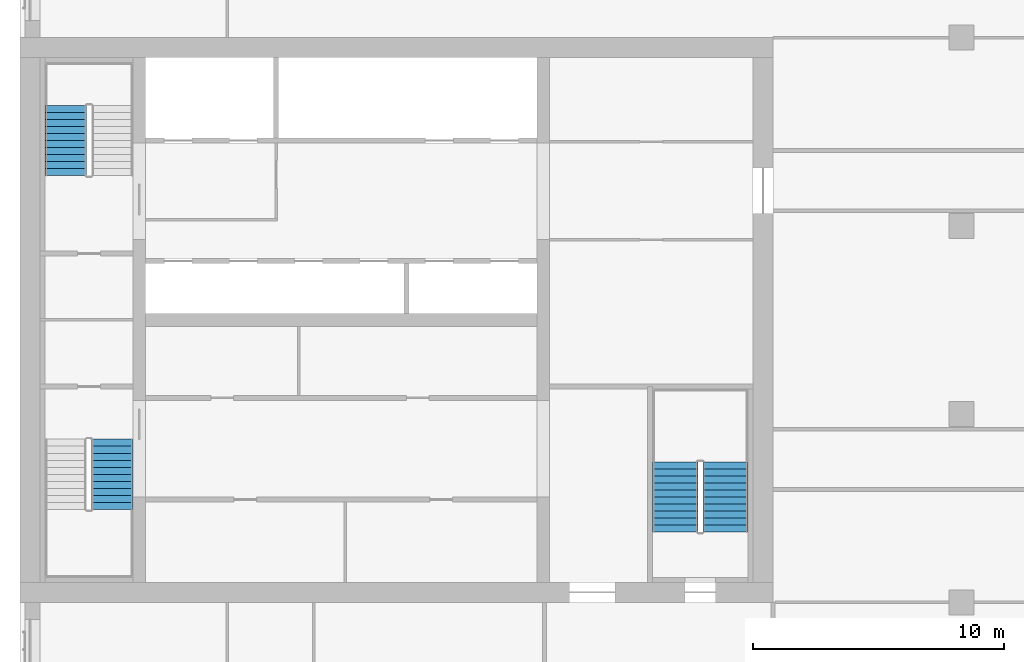
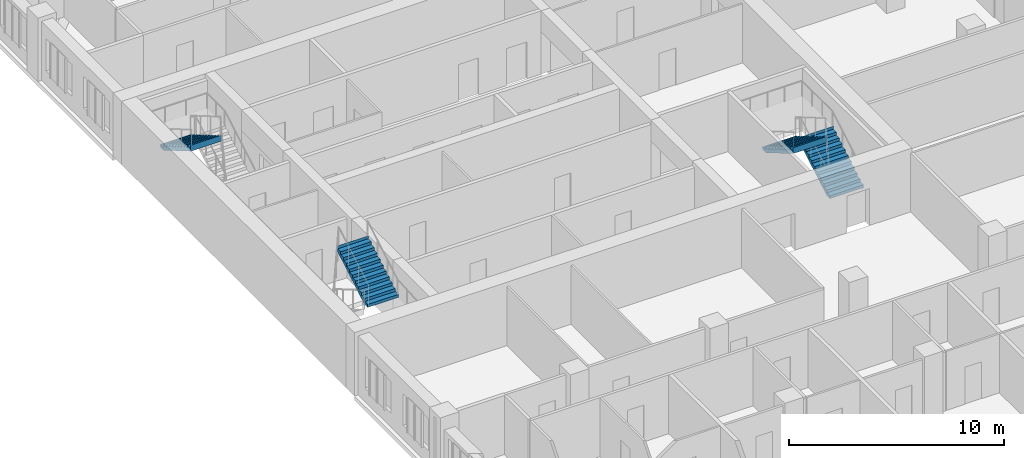
# One storey, part 12 of 14: 4 stair flights, 3 elements without a shape of their own.
"""IFC4 building model written with IfcOpenShell, lengths in metres."""

from ifc_helpers import new_model, si_unit, direction, frame, origin, place, context, subcontext, project, spatial, polyline, outline, extrude, material, type_object, element, aggregate, save


model = new_model("IFC4")

# Units and contexts
model_context = context("Model", 3, precision=1e-05, world=origin(), true_north=direction((0.0, 1.0)))
body_context = subcontext(model_context, "Body", "Model", "MODEL_VIEW")
ifc_project = project(units=[si_unit("LENGTHUNIT", "METRE"), si_unit("AREAUNIT", "SQUARE_METRE"), si_unit("VOLUMEUNIT", "CUBIC_METRE"), si_unit("PLANEANGLEUNIT", "RADIAN"), si_unit("MASSUNIT", "GRAM", prefix="KILO")], contexts=[model_context])

# Site, building, storey
site_placement = place(None, origin())
site = spatial("IfcSite", under=ifc_project, at=site_placement, CompositionType="ELEMENT")
building_placement = place(site_placement, origin())
building = spatial("IfcBuilding", under=site, at=building_placement, Name="Tamorin Gate", CompositionType="ELEMENT")
storey_placement = place(building_placement, frame((0.0, 0.0, 133.800048828125)))
storey = spatial("IfcBuildingStorey", under=building, at=storey_placement, Name="L32", CompositionType="ELEMENT", Elevation=133.800048828125)

# Stair, stair flight
ifc_material = material(Name="Concrete C40/50", Category="concrete")
stair_type = type_object("IfcStairType", Name="Exit stair", PredefinedType="HALF_TURN_STAIR", material=ifc_material)
stair_1_placement = place(storey_placement, origin())
stair_1 = element("IfcStair", 1, at=stair_1_placement, inside=storey, type_object=stair_type, Name="L32 stair ST1", PredefinedType="HALF_TURN_STAIR")
stair_flight_type = type_object("IfcStairFlightType", Name="Exit stair flight", PredefinedType="STRAIGHT", material=ifc_material)
stair_flight_1_placement = place(storey_placement, frame((33.675048828125, 63.699951171875, 1.800048828125), z_axis=(0.0, 0.0, 1.0), x_axis=(0.0, 1.0, 0.0)))
stair_flight_1 = element("IfcStairFlight", 2, at=stair_flight_1_placement, type_object=stair_flight_type, Name="ST1 flight 2", NumberOfRisers=11, NumberOfTreads=10, PredefinedType="STRAIGHT", RiserHeight=0.163636364, TreadLength=0.28, context=body_context, shape_type="SweptSolid", body=[
    extrude(outline(polyline([(-0.00048828125, 0.0), (-0.00048828125, 0.001708984375), (-0.00048828125, 0.003173828125), (-0.00048828125, 0.0048828125), (-0.00048828125, 0.006591796875), (-0.00048828125, 0.008056640625), (-0.00048828125, 0.009765625), (-0.00048828125, 0.01123046875), (-0.00048828125, 0.012939453125), (-0.00048828125, 0.0146484375), (-0.00048828125, 0.01611328125), (-0.00048828125, 0.017822265625), (-0.00048828125, 0.01953125), (-0.00048828125, 0.02099609375), (-0.00048828125, 0.022705078125), (-0.00048828125, 0.0244140625), (-0.00048828125, 0.02587890625), (-0.00048828125, 0.027587890625), (-0.00048828125, 0.029052734375), (-0.00048828125, 0.03076171875), (-0.00048828125, 0.032470703125), (-0.00048828125, 0.033935546875), (-0.00048828125, 0.03564453125), (-0.00048828125, 0.037353515625), (-0.00048828125, 0.038818359375), (-0.00048828125, 0.04052734375), (-0.00048828125, 0.042236328125), (-0.00048828125, 0.043701171875), (-0.00048828125, 0.04541015625), (-0.00048828125, 0.046875), (-0.00048828125, 0.048583984375), (-0.00048828125, 0.05029296875), (-0.00048828125, 0.0517578125), (-0.00048828125, 0.053466796875), (-0.00048828125, 0.05517578125), (-0.00048828125, 0.056640625), (-0.00048828125, 0.058349609375), (-0.00048828125, 0.06005859375), (-0.00048828125, 0.0615234375), (-0.00048828125, 0.063232421875), (-0.00048828125, 0.064697265625), (-0.00048828125, 0.06640625), (-0.00048828125, 0.068115234375), (-0.00048828125, 0.069580078125), (-0.00048828125, 0.0712890625), (-0.00048828125, 0.072998046875), (-0.00048828125, 0.074462890625), (-0.00048828125, 0.076171875), (-0.00048828125, 0.077880859375), (-0.00048828125, 0.079345703125), (-0.00048828125, 0.0810546875), (-0.00048828125, 0.08251953125), (-0.00048828125, 0.084228515625), (-0.00048828125, 0.0859375), (-0.00048828125, 0.08740234375), (-0.00048828125, 0.089111328125), (-0.00048828125, 0.0908203125), (-0.00048828125, 0.09228515625), (-0.00048828125, 0.093994140625), (-0.00048828125, 0.095703125), (-0.00048828125, 0.09716796875), (-0.00048828125, 0.098876953125), (-0.00048828125, 0.100341796875), (-0.00048828125, 0.10205078125), (-0.00048828125, 0.103759765625), (-0.00048828125, 0.105224609375), (-0.00048828125, 0.10693359375), (-0.00048828125, 0.108642578125), (-0.00048828125, 0.110107421875), (-0.00048828125, 0.11181640625), (-0.00048828125, 0.113525390625), (-0.00048828125, 0.114990234375), (-0.00048828125, 0.11669921875), (-0.00048828125, 0.1181640625), (-0.00048828125, 0.119873046875), (-0.00048828125, 0.12158203125), (-0.00048828125, 0.123046875), (-0.00048828125, 0.124755859375), (-0.00048828125, 0.12646484375), (-0.00048828125, 0.1279296875), (-0.00048828125, 0.129638671875), (-0.00048828125, 0.13134765625), (-0.00048828125, 0.1328125), (-0.00048828125, 0.134521484375), (-0.00048828125, 0.135986328125), (-0.00048828125, 0.1376953125), (-0.00048828125, 0.139404296875), (-0.00048828125, 0.140869140625), (-0.00048828125, 0.142578125), (-0.00048828125, 0.144287109375), (-0.00048828125, 0.145751953125), (-0.00048828125, 0.1474609375), (-0.00048828125, 0.149169921875), (-0.00048828125, 0.150634765625), (-0.00048828125, 0.15234375), (-0.00048828125, 0.15380859375), (-0.00048828125, 0.155517578125), (-0.00048828125, 0.1572265625), (-0.00048828125, 0.15869140625), (-0.00048828125, 0.160400390625), (-0.00048828125, 0.162109375), (-0.00048828125, 0.16357421875), (0.280029296875, 0.16357421875), (0.280029296875, 0.327392578125), (0.56005859375, 0.327392578125), (0.56005859375, 0.490966796875), (0.840087890625, 0.490966796875), (0.840087890625, 0.654541015625), (1.1201171875, 0.654541015625), (1.1201171875, 0.818115234375), (1.39990234375, 0.818115234375), (1.39990234375, 0.98193359375), (1.679931640625, 0.98193359375), (1.679931640625, 1.1455078125), (1.9599609375, 1.1455078125), (1.9599609375, 1.30908203125), (2.239990234375, 1.30908203125), (2.239990234375, 1.47265625), (2.52001953125, 1.47265625), (2.52001953125, 1.636474609375), (2.800048828125, 1.636474609375), (2.800048828125, 1.800048828125), (2.800537109375, 1.800048828125), (2.800537109375, 1.796630859375), (2.800537109375, 1.793212890625), (2.800537109375, 1.7900390625), (2.800537109375, 1.78662109375), (2.800537109375, 1.783203125), (2.800537109375, 1.780029296875), (2.800537109375, 1.776611328125), (2.800537109375, 1.773193359375), (2.800537109375, 1.77001953125), (2.800537109375, 1.7666015625), (2.800537109375, 1.76318359375), (2.800537109375, 1.760009765625), (2.800537109375, 1.756591796875), (2.800537109375, 1.753173828125), (2.800537109375, 1.75), (2.800537109375, 1.74658203125), (2.800537109375, 1.7431640625), (2.800537109375, 1.739990234375), (2.800537109375, 1.736572265625), (2.800537109375, 1.733154296875), (2.800537109375, 1.72998046875), (2.800537109375, 1.7265625), (2.800537109375, 1.72314453125), (2.800537109375, 1.719970703125), (2.800537109375, 1.716552734375), (2.800537109375, 1.713134765625), (2.800537109375, 1.7099609375), (2.800537109375, 1.70654296875), (2.800537109375, 1.703125), (2.800537109375, 1.69970703125), (2.800537109375, 1.696533203125), (2.800537109375, 1.693115234375), (2.800537109375, 1.689697265625), (2.800537109375, 1.6865234375), (2.800537109375, 1.68310546875), (2.800537109375, 1.6796875), (2.800537109375, 1.676513671875), (2.800537109375, 1.673095703125), (2.800537109375, 1.669677734375), (2.800537109375, 1.66650390625), (2.800537109375, 1.6630859375), (2.800537109375, 1.65966796875), (2.800537109375, 1.656494140625), (2.800537109375, 1.653076171875), (2.800537109375, 1.649658203125), (2.800537109375, 1.646484375), (2.800537109375, 1.64306640625), (2.800537109375, 1.6396484375), (2.800537109375, 1.636474609375), (2.800537109375, 1.633056640625), (2.800537109375, 1.629638671875), (2.800537109375, 1.62646484375), (2.800537109375, 1.623046875), (2.800537109375, 1.61962890625), (2.800537109375, 1.616455078125), (2.800537109375, 1.613037109375), (2.800537109375, 1.609619140625), (2.800537109375, 1.6064453125), (2.800537109375, 1.60302734375), (2.800537109375, 1.599609375), (2.800537109375, 1.59619140625), (2.800537109375, 1.593017578125), (2.800537109375, 1.589599609375), (2.800537109375, 1.586181640625), (2.800537109375, 1.5830078125), (2.800537109375, 1.57958984375), (2.800537109375, 1.576171875), (2.800537109375, 1.572998046875), (2.800537109375, 1.569580078125), (2.800537109375, 1.566162109375), (2.800537109375, 1.56298828125), (2.800537109375, 1.5595703125), (2.800537109375, 1.55615234375), (2.800537109375, 1.552978515625), (2.800537109375, 1.549560546875), (2.800537109375, 1.546142578125), (2.800537109375, 1.54296875), (2.800537109375, 1.53955078125), (2.800537109375, 1.5361328125), (2.800537109375, 1.532958984375), (2.800537109375, 1.529541015625), (2.800537109375, 1.526123046875), (2.800537109375, 1.52294921875), (2.800537109375, 1.51953125), (2.800537109375, 1.51611328125), (2.800537109375, 1.512939453125), (2.800537109375, 1.509521484375), (2.800537109375, 1.506103515625), (2.800537109375, 1.5029296875), (2.800537109375, 1.49951171875), (2.800537109375, 1.49609375), (2.800537109375, 1.49267578125), (2.800537109375, 1.489501953125), (2.800537109375, 1.486083984375), (2.800537109375, 1.482666015625), (2.800537109375, 1.4794921875), (2.800537109375, 1.47607421875), (2.800537109375, 1.47265625), (2.800537109375, 1.469482421875), (2.800537109375, 1.466064453125), (2.800537109375, 1.462646484375), (2.800048828125, 1.462646484375), (0.297119140625, 0.0), (-0.00048828125, 0.0)])), frame((0.0, 0.824951171875, 0.0), z_axis=(0.0, -1.0, 0.0), x_axis=(1.0, 0.0, 0.0)), (0.0, 0.0, 1.0), 1.64990234375),
])
aggregate(stair_1, [stair_flight_1])

stair_2_placement = place(storey_placement, origin())
stair_2 = element("IfcStair", 3, at=stair_2_placement, inside=storey, type_object=stair_type, Name="L32 stair ST2", PredefinedType="HALF_TURN_STAIR")
stair_flight_2_placement = place(storey_placement, frame((31.824951171875, 79.800048828125, 1.800048828125), z_axis=(0.0, 0.0, 1.0), x_axis=(0.0, -1.0, 0.0)))
stair_flight_2 = element("IfcStairFlight", 4, at=stair_flight_2_placement, type_object=stair_flight_type, Name="ST2 flight 2", NumberOfRisers=11, NumberOfTreads=10, PredefinedType="STRAIGHT", RiserHeight=0.163636364, TreadLength=0.28, context=body_context, shape_type="SweptSolid", body=[
    extrude(outline(polyline([(-0.00048828125, 0.0), (-0.00048828125, 0.001708984375), (-0.00048828125, 0.003173828125), (-0.00048828125, 0.0048828125), (-0.00048828125, 0.006591796875), (-0.00048828125, 0.008056640625), (-0.00048828125, 0.009765625), (-0.00048828125, 0.01123046875), (-0.00048828125, 0.012939453125), (-0.00048828125, 0.0146484375), (-0.00048828125, 0.01611328125), (-0.00048828125, 0.017822265625), (-0.00048828125, 0.01953125), (-0.00048828125, 0.02099609375), (-0.00048828125, 0.022705078125), (-0.00048828125, 0.0244140625), (-0.00048828125, 0.02587890625), (-0.00048828125, 0.027587890625), (-0.00048828125, 0.029052734375), (-0.00048828125, 0.03076171875), (-0.00048828125, 0.032470703125), (-0.00048828125, 0.033935546875), (-0.00048828125, 0.03564453125), (-0.00048828125, 0.037353515625), (-0.00048828125, 0.038818359375), (-0.00048828125, 0.04052734375), (-0.00048828125, 0.042236328125), (-0.00048828125, 0.043701171875), (-0.00048828125, 0.04541015625), (-0.00048828125, 0.046875), (-0.00048828125, 0.048583984375), (-0.00048828125, 0.05029296875), (-0.00048828125, 0.0517578125), (-0.00048828125, 0.053466796875), (-0.00048828125, 0.05517578125), (-0.00048828125, 0.056640625), (-0.00048828125, 0.058349609375), (-0.00048828125, 0.06005859375), (-0.00048828125, 0.0615234375), (-0.00048828125, 0.063232421875), (-0.00048828125, 0.064697265625), (-0.00048828125, 0.06640625), (-0.00048828125, 0.068115234375), (-0.00048828125, 0.069580078125), (-0.00048828125, 0.0712890625), (-0.00048828125, 0.072998046875), (-0.00048828125, 0.074462890625), (-0.00048828125, 0.076171875), (-0.00048828125, 0.077880859375), (-0.00048828125, 0.079345703125), (-0.00048828125, 0.0810546875), (-0.00048828125, 0.08251953125), (-0.00048828125, 0.084228515625), (-0.00048828125, 0.0859375), (-0.00048828125, 0.08740234375), (-0.00048828125, 0.089111328125), (-0.00048828125, 0.0908203125), (-0.00048828125, 0.09228515625), (-0.00048828125, 0.093994140625), (-0.00048828125, 0.095703125), (-0.00048828125, 0.09716796875), (-0.00048828125, 0.098876953125), (-0.00048828125, 0.100341796875), (-0.00048828125, 0.10205078125), (-0.00048828125, 0.103759765625), (-0.00048828125, 0.105224609375), (-0.00048828125, 0.10693359375), (-0.00048828125, 0.108642578125), (-0.00048828125, 0.110107421875), (-0.00048828125, 0.11181640625), (-0.00048828125, 0.113525390625), (-0.00048828125, 0.114990234375), (-0.00048828125, 0.11669921875), (-0.00048828125, 0.1181640625), (-0.00048828125, 0.119873046875), (-0.00048828125, 0.12158203125), (-0.00048828125, 0.123046875), (-0.00048828125, 0.124755859375), (-0.00048828125, 0.12646484375), (-0.00048828125, 0.1279296875), (-0.00048828125, 0.129638671875), (-0.00048828125, 0.13134765625), (-0.00048828125, 0.1328125), (-0.00048828125, 0.134521484375), (-0.00048828125, 0.135986328125), (-0.00048828125, 0.1376953125), (-0.00048828125, 0.139404296875), (-0.00048828125, 0.140869140625), (-0.00048828125, 0.142578125), (-0.00048828125, 0.144287109375), (-0.00048828125, 0.145751953125), (-0.00048828125, 0.1474609375), (-0.00048828125, 0.149169921875), (-0.00048828125, 0.150634765625), (-0.00048828125, 0.15234375), (-0.00048828125, 0.15380859375), (-0.00048828125, 0.155517578125), (-0.00048828125, 0.1572265625), (-0.00048828125, 0.15869140625), (-0.00048828125, 0.160400390625), (-0.00048828125, 0.162109375), (-0.00048828125, 0.16357421875), (0.280029296875, 0.16357421875), (0.280029296875, 0.327392578125), (0.56005859375, 0.327392578125), (0.56005859375, 0.490966796875), (0.840087890625, 0.490966796875), (0.840087890625, 0.654541015625), (1.1201171875, 0.654541015625), (1.1201171875, 0.818115234375), (1.39990234375, 0.818115234375), (1.39990234375, 0.98193359375), (1.679931640625, 0.98193359375), (1.679931640625, 1.1455078125), (1.9599609375, 1.1455078125), (1.9599609375, 1.30908203125), (2.239990234375, 1.30908203125), (2.239990234375, 1.47265625), (2.52001953125, 1.47265625), (2.52001953125, 1.636474609375), (2.800048828125, 1.636474609375), (2.800048828125, 1.800048828125), (2.800537109375, 1.800048828125), (2.800537109375, 1.796630859375), (2.800537109375, 1.793212890625), (2.800537109375, 1.7900390625), (2.800537109375, 1.78662109375), (2.800537109375, 1.783203125), (2.800537109375, 1.780029296875), (2.800537109375, 1.776611328125), (2.800537109375, 1.773193359375), (2.800537109375, 1.77001953125), (2.800537109375, 1.7666015625), (2.800537109375, 1.76318359375), (2.800537109375, 1.760009765625), (2.800537109375, 1.756591796875), (2.800537109375, 1.753173828125), (2.800537109375, 1.75), (2.800537109375, 1.74658203125), (2.800537109375, 1.7431640625), (2.800537109375, 1.739990234375), (2.800537109375, 1.736572265625), (2.800537109375, 1.733154296875), (2.800537109375, 1.72998046875), (2.800537109375, 1.7265625), (2.800537109375, 1.72314453125), (2.800537109375, 1.719970703125), (2.800537109375, 1.716552734375), (2.800537109375, 1.713134765625), (2.800537109375, 1.7099609375), (2.800537109375, 1.70654296875), (2.800537109375, 1.703125), (2.800537109375, 1.69970703125), (2.800537109375, 1.696533203125), (2.800537109375, 1.693115234375), (2.800537109375, 1.689697265625), (2.800537109375, 1.6865234375), (2.800537109375, 1.68310546875), (2.800537109375, 1.6796875), (2.800537109375, 1.676513671875), (2.800537109375, 1.673095703125), (2.800537109375, 1.669677734375), (2.800537109375, 1.66650390625), (2.800537109375, 1.6630859375), (2.800537109375, 1.65966796875), (2.800537109375, 1.656494140625), (2.800537109375, 1.653076171875), (2.800537109375, 1.649658203125), (2.800537109375, 1.646484375), (2.800537109375, 1.64306640625), (2.800537109375, 1.6396484375), (2.800537109375, 1.636474609375), (2.800537109375, 1.633056640625), (2.800537109375, 1.629638671875), (2.800537109375, 1.62646484375), (2.800537109375, 1.623046875), (2.800537109375, 1.61962890625), (2.800537109375, 1.616455078125), (2.800537109375, 1.613037109375), (2.800537109375, 1.609619140625), (2.800537109375, 1.6064453125), (2.800537109375, 1.60302734375), (2.800537109375, 1.599609375), (2.800537109375, 1.59619140625), (2.800537109375, 1.593017578125), (2.800537109375, 1.589599609375), (2.800537109375, 1.586181640625), (2.800537109375, 1.5830078125), (2.800537109375, 1.57958984375), (2.800537109375, 1.576171875), (2.800537109375, 1.572998046875), (2.800537109375, 1.569580078125), (2.800537109375, 1.566162109375), (2.800537109375, 1.56298828125), (2.800537109375, 1.5595703125), (2.800537109375, 1.55615234375), (2.800537109375, 1.552978515625), (2.800537109375, 1.549560546875), (2.800537109375, 1.546142578125), (2.800537109375, 1.54296875), (2.800537109375, 1.53955078125), (2.800537109375, 1.5361328125), (2.800537109375, 1.532958984375), (2.800537109375, 1.529541015625), (2.800537109375, 1.526123046875), (2.800537109375, 1.52294921875), (2.800537109375, 1.51953125), (2.800537109375, 1.51611328125), (2.800537109375, 1.512939453125), (2.800537109375, 1.509521484375), (2.800537109375, 1.506103515625), (2.800537109375, 1.5029296875), (2.800537109375, 1.49951171875), (2.800537109375, 1.49609375), (2.800537109375, 1.49267578125), (2.800537109375, 1.489501953125), (2.800537109375, 1.486083984375), (2.800537109375, 1.482666015625), (2.800537109375, 1.4794921875), (2.800537109375, 1.47607421875), (2.800537109375, 1.47265625), (2.800537109375, 1.469482421875), (2.800537109375, 1.466064453125), (2.800537109375, 1.462646484375), (2.800048828125, 1.462646484375), (0.297119140625, 0.0), (-0.00048828125, 0.0)])), frame((0.0, 0.824951171875, 0.0), z_axis=(0.0, -1.0, 0.0), x_axis=(1.0, 0.0, 0.0)), (0.0, 0.0, 1.0), 1.64990234375),
])
aggregate(stair_2, [stair_flight_2])

# Stair, stair flights
stair_3_placement = place(storey_placement, origin())
stair_3 = element("IfcStair", 5, at=stair_3_placement, inside=storey, type_object=stair_type, Name="L32 stair ST3", PredefinedType="HALF_TURN_STAIR")
stair_flight_3_placement = place(storey_placement, frame((58.10009765625, 62.800048828125, 0.0), z_axis=(0.0, 0.0, 1.0), x_axis=(0.0, 1.0, 0.0)))
stair_flight_3 = element("IfcStairFlight", 6, at=stair_flight_3_placement, type_object=stair_flight_type, Name="ST3 flight 1", NumberOfRisers=11, NumberOfTreads=10, PredefinedType="STRAIGHT", RiserHeight=0.163636364, TreadLength=0.28, context=body_context, shape_type="SweptSolid", body=[
    extrude(outline(polyline([(-0.00048828125, 0.0), (-0.00048828125, 0.001708984375), (-0.00048828125, 0.003173828125), (-0.00048828125, 0.0048828125), (-0.00048828125, 0.006591796875), (-0.00048828125, 0.008056640625), (-0.00048828125, 0.009765625), (-0.00048828125, 0.01123046875), (-0.00048828125, 0.012939453125), (-0.00048828125, 0.0146484375), (-0.00048828125, 0.01611328125), (-0.00048828125, 0.017822265625), (-0.00048828125, 0.01953125), (-0.00048828125, 0.02099609375), (-0.00048828125, 0.022705078125), (-0.00048828125, 0.0244140625), (-0.00048828125, 0.02587890625), (-0.00048828125, 0.027587890625), (-0.00048828125, 0.029052734375), (-0.00048828125, 0.03076171875), (-0.00048828125, 0.032470703125), (-0.00048828125, 0.033935546875), (-0.00048828125, 0.03564453125), (-0.00048828125, 0.037353515625), (-0.00048828125, 0.038818359375), (-0.00048828125, 0.04052734375), (-0.00048828125, 0.042236328125), (-0.00048828125, 0.043701171875), (-0.00048828125, 0.04541015625), (-0.00048828125, 0.046875), (-0.00048828125, 0.048583984375), (-0.00048828125, 0.05029296875), (-0.00048828125, 0.0517578125), (-0.00048828125, 0.053466796875), (-0.00048828125, 0.05517578125), (-0.00048828125, 0.056640625), (-0.00048828125, 0.058349609375), (-0.00048828125, 0.06005859375), (-0.00048828125, 0.0615234375), (-0.00048828125, 0.063232421875), (-0.00048828125, 0.064697265625), (-0.00048828125, 0.06640625), (-0.00048828125, 0.068115234375), (-0.00048828125, 0.069580078125), (-0.00048828125, 0.0712890625), (-0.00048828125, 0.072998046875), (-0.00048828125, 0.074462890625), (-0.00048828125, 0.076171875), (-0.00048828125, 0.077880859375), (-0.00048828125, 0.079345703125), (-0.00048828125, 0.0810546875), (-0.00048828125, 0.08251953125), (-0.00048828125, 0.084228515625), (-0.00048828125, 0.0859375), (-0.00048828125, 0.08740234375), (-0.00048828125, 0.089111328125), (-0.00048828125, 0.0908203125), (-0.00048828125, 0.09228515625), (-0.00048828125, 0.093994140625), (-0.00048828125, 0.095703125), (-0.00048828125, 0.09716796875), (-0.00048828125, 0.098876953125), (-0.00048828125, 0.100341796875), (-0.00048828125, 0.10205078125), (-0.00048828125, 0.103759765625), (-0.00048828125, 0.105224609375), (-0.00048828125, 0.10693359375), (-0.00048828125, 0.108642578125), (-0.00048828125, 0.110107421875), (-0.00048828125, 0.11181640625), (-0.00048828125, 0.113525390625), (-0.00048828125, 0.114990234375), (-0.00048828125, 0.11669921875), (-0.00048828125, 0.1181640625), (-0.00048828125, 0.119873046875), (-0.00048828125, 0.12158203125), (-0.00048828125, 0.123046875), (-0.00048828125, 0.124755859375), (-0.00048828125, 0.12646484375), (-0.00048828125, 0.1279296875), (-0.00048828125, 0.129638671875), (-0.00048828125, 0.13134765625), (-0.00048828125, 0.1328125), (-0.00048828125, 0.134521484375), (-0.00048828125, 0.135986328125), (-0.00048828125, 0.1376953125), (-0.00048828125, 0.139404296875), (-0.00048828125, 0.140869140625), (-0.00048828125, 0.142578125), (-0.00048828125, 0.144287109375), (-0.00048828125, 0.145751953125), (-0.00048828125, 0.1474609375), (-0.00048828125, 0.149169921875), (-0.00048828125, 0.150634765625), (-0.00048828125, 0.15234375), (-0.00048828125, 0.15380859375), (-0.00048828125, 0.155517578125), (-0.00048828125, 0.1572265625), (-0.00048828125, 0.15869140625), (-0.00048828125, 0.160400390625), (-0.00048828125, 0.162109375), (-0.00048828125, 0.16357421875), (0.280029296875, 0.16357421875), (0.280029296875, 0.327392578125), (0.56005859375, 0.327392578125), (0.56005859375, 0.490966796875), (0.840087890625, 0.490966796875), (0.840087890625, 0.654541015625), (1.1201171875, 0.654541015625), (1.1201171875, 0.818115234375), (1.39990234375, 0.818115234375), (1.39990234375, 0.98193359375), (1.679931640625, 0.98193359375), (1.679931640625, 1.1455078125), (1.9599609375, 1.1455078125), (1.9599609375, 1.30908203125), (2.239990234375, 1.30908203125), (2.239990234375, 1.47265625), (2.52001953125, 1.47265625), (2.52001953125, 1.636474609375), (2.800048828125, 1.636474609375), (2.800048828125, 1.800048828125), (2.800537109375, 1.800048828125), (2.800537109375, 1.796630859375), (2.800537109375, 1.793212890625), (2.800537109375, 1.7900390625), (2.800537109375, 1.78662109375), (2.800537109375, 1.783203125), (2.800537109375, 1.780029296875), (2.800537109375, 1.776611328125), (2.800537109375, 1.773193359375), (2.800537109375, 1.77001953125), (2.800537109375, 1.7666015625), (2.800537109375, 1.76318359375), (2.800537109375, 1.760009765625), (2.800537109375, 1.756591796875), (2.800537109375, 1.753173828125), (2.800537109375, 1.75), (2.800537109375, 1.74658203125), (2.800537109375, 1.7431640625), (2.800537109375, 1.739990234375), (2.800537109375, 1.736572265625), (2.800537109375, 1.733154296875), (2.800537109375, 1.72998046875), (2.800537109375, 1.7265625), (2.800537109375, 1.72314453125), (2.800537109375, 1.719970703125), (2.800537109375, 1.716552734375), (2.800537109375, 1.713134765625), (2.800537109375, 1.7099609375), (2.800537109375, 1.70654296875), (2.800537109375, 1.703125), (2.800537109375, 1.69970703125), (2.800537109375, 1.696533203125), (2.800537109375, 1.693115234375), (2.800537109375, 1.689697265625), (2.800537109375, 1.6865234375), (2.800537109375, 1.68310546875), (2.800537109375, 1.6796875), (2.800537109375, 1.676513671875), (2.800537109375, 1.673095703125), (2.800537109375, 1.669677734375), (2.800537109375, 1.66650390625), (2.800537109375, 1.6630859375), (2.800537109375, 1.65966796875), (2.800537109375, 1.656494140625), (2.800537109375, 1.653076171875), (2.800537109375, 1.649658203125), (2.800537109375, 1.646484375), (2.800537109375, 1.64306640625), (2.800537109375, 1.6396484375), (2.800537109375, 1.636474609375), (2.800537109375, 1.633056640625), (2.800537109375, 1.629638671875), (2.800537109375, 1.62646484375), (2.800537109375, 1.623046875), (2.800537109375, 1.61962890625), (2.800537109375, 1.616455078125), (2.800537109375, 1.613037109375), (2.800537109375, 1.609619140625), (2.800537109375, 1.6064453125), (2.800537109375, 1.60302734375), (2.800537109375, 1.599609375), (2.800537109375, 1.59619140625), (2.800537109375, 1.593017578125), (2.800537109375, 1.589599609375), (2.800537109375, 1.586181640625), (2.800537109375, 1.5830078125), (2.800537109375, 1.57958984375), (2.800537109375, 1.576171875), (2.800537109375, 1.572998046875), (2.800537109375, 1.569580078125), (2.800537109375, 1.566162109375), (2.800537109375, 1.56298828125), (2.800537109375, 1.5595703125), (2.800537109375, 1.55615234375), (2.800537109375, 1.552978515625), (2.800537109375, 1.549560546875), (2.800537109375, 1.546142578125), (2.800537109375, 1.54296875), (2.800537109375, 1.53955078125), (2.800537109375, 1.5361328125), (2.800537109375, 1.532958984375), (2.800537109375, 1.529541015625), (2.800537109375, 1.526123046875), (2.800537109375, 1.52294921875), (2.800537109375, 1.51953125), (2.800537109375, 1.51611328125), (2.800537109375, 1.512939453125), (2.800537109375, 1.509521484375), (2.800537109375, 1.506103515625), (2.800537109375, 1.5029296875), (2.800537109375, 1.49951171875), (2.800537109375, 1.49609375), (2.800537109375, 1.49267578125), (2.800537109375, 1.489501953125), (2.800537109375, 1.486083984375), (2.800537109375, 1.482666015625), (2.800537109375, 1.4794921875), (2.800537109375, 1.47607421875), (2.800537109375, 1.47265625), (2.800537109375, 1.469482421875), (2.800537109375, 1.466064453125), (2.800537109375, 1.462646484375), (2.800048828125, 1.462646484375), (0.297119140625, 0.0), (-0.00048828125, 0.0)])), frame((0.0, 0.89990234375, 0.0), z_axis=(0.0, -1.0, 0.0), x_axis=(1.0, 0.0, 0.0)), (0.0, 0.0, 1.0), 1.800048828125),
])
stair_flight_4_placement = place(storey_placement, frame((56.10009765625, 65.60009765625, 1.800048828125), z_axis=(0.0, 0.0, 1.0), x_axis=(0.0, -1.0, 0.0)))
stair_flight_4 = element("IfcStairFlight", 7, at=stair_flight_4_placement, type_object=stair_flight_type, Name="ST3 flight 2", NumberOfRisers=11, NumberOfTreads=10, PredefinedType="STRAIGHT", RiserHeight=0.163636364, TreadLength=0.28, context=body_context, shape_type="SweptSolid", body=[
    extrude(outline(polyline([(-0.00048828125, 0.0), (-0.00048828125, 0.001708984375), (-0.00048828125, 0.003173828125), (-0.00048828125, 0.0048828125), (-0.00048828125, 0.006591796875), (-0.00048828125, 0.008056640625), (-0.00048828125, 0.009765625), (-0.00048828125, 0.01123046875), (-0.00048828125, 0.012939453125), (-0.00048828125, 0.0146484375), (-0.00048828125, 0.01611328125), (-0.00048828125, 0.017822265625), (-0.00048828125, 0.01953125), (-0.00048828125, 0.02099609375), (-0.00048828125, 0.022705078125), (-0.00048828125, 0.0244140625), (-0.00048828125, 0.02587890625), (-0.00048828125, 0.027587890625), (-0.00048828125, 0.029052734375), (-0.00048828125, 0.03076171875), (-0.00048828125, 0.032470703125), (-0.00048828125, 0.033935546875), (-0.00048828125, 0.03564453125), (-0.00048828125, 0.037353515625), (-0.00048828125, 0.038818359375), (-0.00048828125, 0.04052734375), (-0.00048828125, 0.042236328125), (-0.00048828125, 0.043701171875), (-0.00048828125, 0.04541015625), (-0.00048828125, 0.046875), (-0.00048828125, 0.048583984375), (-0.00048828125, 0.05029296875), (-0.00048828125, 0.0517578125), (-0.00048828125, 0.053466796875), (-0.00048828125, 0.05517578125), (-0.00048828125, 0.056640625), (-0.00048828125, 0.058349609375), (-0.00048828125, 0.06005859375), (-0.00048828125, 0.0615234375), (-0.00048828125, 0.063232421875), (-0.00048828125, 0.064697265625), (-0.00048828125, 0.06640625), (-0.00048828125, 0.068115234375), (-0.00048828125, 0.069580078125), (-0.00048828125, 0.0712890625), (-0.00048828125, 0.072998046875), (-0.00048828125, 0.074462890625), (-0.00048828125, 0.076171875), (-0.00048828125, 0.077880859375), (-0.00048828125, 0.079345703125), (-0.00048828125, 0.0810546875), (-0.00048828125, 0.08251953125), (-0.00048828125, 0.084228515625), (-0.00048828125, 0.0859375), (-0.00048828125, 0.08740234375), (-0.00048828125, 0.089111328125), (-0.00048828125, 0.0908203125), (-0.00048828125, 0.09228515625), (-0.00048828125, 0.093994140625), (-0.00048828125, 0.095703125), (-0.00048828125, 0.09716796875), (-0.00048828125, 0.098876953125), (-0.00048828125, 0.100341796875), (-0.00048828125, 0.10205078125), (-0.00048828125, 0.103759765625), (-0.00048828125, 0.105224609375), (-0.00048828125, 0.10693359375), (-0.00048828125, 0.108642578125), (-0.00048828125, 0.110107421875), (-0.00048828125, 0.11181640625), (-0.00048828125, 0.113525390625), (-0.00048828125, 0.114990234375), (-0.00048828125, 0.11669921875), (-0.00048828125, 0.1181640625), (-0.00048828125, 0.119873046875), (-0.00048828125, 0.12158203125), (-0.00048828125, 0.123046875), (-0.00048828125, 0.124755859375), (-0.00048828125, 0.12646484375), (-0.00048828125, 0.1279296875), (-0.00048828125, 0.129638671875), (-0.00048828125, 0.13134765625), (-0.00048828125, 0.1328125), (-0.00048828125, 0.134521484375), (-0.00048828125, 0.135986328125), (-0.00048828125, 0.1376953125), (-0.00048828125, 0.139404296875), (-0.00048828125, 0.140869140625), (-0.00048828125, 0.142578125), (-0.00048828125, 0.144287109375), (-0.00048828125, 0.145751953125), (-0.00048828125, 0.1474609375), (-0.00048828125, 0.149169921875), (-0.00048828125, 0.150634765625), (-0.00048828125, 0.15234375), (-0.00048828125, 0.15380859375), (-0.00048828125, 0.155517578125), (-0.00048828125, 0.1572265625), (-0.00048828125, 0.15869140625), (-0.00048828125, 0.160400390625), (-0.00048828125, 0.162109375), (-0.00048828125, 0.16357421875), (0.280029296875, 0.16357421875), (0.280029296875, 0.327392578125), (0.56005859375, 0.327392578125), (0.56005859375, 0.490966796875), (0.840087890625, 0.490966796875), (0.840087890625, 0.654541015625), (1.1201171875, 0.654541015625), (1.1201171875, 0.818115234375), (1.39990234375, 0.818115234375), (1.39990234375, 0.98193359375), (1.679931640625, 0.98193359375), (1.679931640625, 1.1455078125), (1.9599609375, 1.1455078125), (1.9599609375, 1.30908203125), (2.239990234375, 1.30908203125), (2.239990234375, 1.47265625), (2.52001953125, 1.47265625), (2.52001953125, 1.636474609375), (2.800048828125, 1.636474609375), (2.800048828125, 1.800048828125), (2.800537109375, 1.800048828125), (2.800537109375, 1.796630859375), (2.800537109375, 1.793212890625), (2.800537109375, 1.7900390625), (2.800537109375, 1.78662109375), (2.800537109375, 1.783203125), (2.800537109375, 1.780029296875), (2.800537109375, 1.776611328125), (2.800537109375, 1.773193359375), (2.800537109375, 1.77001953125), (2.800537109375, 1.7666015625), (2.800537109375, 1.76318359375), (2.800537109375, 1.760009765625), (2.800537109375, 1.756591796875), (2.800537109375, 1.753173828125), (2.800537109375, 1.75), (2.800537109375, 1.74658203125), (2.800537109375, 1.7431640625), (2.800537109375, 1.739990234375), (2.800537109375, 1.736572265625), (2.800537109375, 1.733154296875), (2.800537109375, 1.72998046875), (2.800537109375, 1.7265625), (2.800537109375, 1.72314453125), (2.800537109375, 1.719970703125), (2.800537109375, 1.716552734375), (2.800537109375, 1.713134765625), (2.800537109375, 1.7099609375), (2.800537109375, 1.70654296875), (2.800537109375, 1.703125), (2.800537109375, 1.69970703125), (2.800537109375, 1.696533203125), (2.800537109375, 1.693115234375), (2.800537109375, 1.689697265625), (2.800537109375, 1.6865234375), (2.800537109375, 1.68310546875), (2.800537109375, 1.6796875), (2.800537109375, 1.676513671875), (2.800537109375, 1.673095703125), (2.800537109375, 1.669677734375), (2.800537109375, 1.66650390625), (2.800537109375, 1.6630859375), (2.800537109375, 1.65966796875), (2.800537109375, 1.656494140625), (2.800537109375, 1.653076171875), (2.800537109375, 1.649658203125), (2.800537109375, 1.646484375), (2.800537109375, 1.64306640625), (2.800537109375, 1.6396484375), (2.800537109375, 1.636474609375), (2.800537109375, 1.633056640625), (2.800537109375, 1.629638671875), (2.800537109375, 1.62646484375), (2.800537109375, 1.623046875), (2.800537109375, 1.61962890625), (2.800537109375, 1.616455078125), (2.800537109375, 1.613037109375), (2.800537109375, 1.609619140625), (2.800537109375, 1.6064453125), (2.800537109375, 1.60302734375), (2.800537109375, 1.599609375), (2.800537109375, 1.59619140625), (2.800537109375, 1.593017578125), (2.800537109375, 1.589599609375), (2.800537109375, 1.586181640625), (2.800537109375, 1.5830078125), (2.800537109375, 1.57958984375), (2.800537109375, 1.576171875), (2.800537109375, 1.572998046875), (2.800537109375, 1.569580078125), (2.800537109375, 1.566162109375), (2.800537109375, 1.56298828125), (2.800537109375, 1.5595703125), (2.800537109375, 1.55615234375), (2.800537109375, 1.552978515625), (2.800537109375, 1.549560546875), (2.800537109375, 1.546142578125), (2.800537109375, 1.54296875), (2.800537109375, 1.53955078125), (2.800537109375, 1.5361328125), (2.800537109375, 1.532958984375), (2.800537109375, 1.529541015625), (2.800537109375, 1.526123046875), (2.800537109375, 1.52294921875), (2.800537109375, 1.51953125), (2.800537109375, 1.51611328125), (2.800537109375, 1.512939453125), (2.800537109375, 1.509521484375), (2.800537109375, 1.506103515625), (2.800537109375, 1.5029296875), (2.800537109375, 1.49951171875), (2.800537109375, 1.49609375), (2.800537109375, 1.49267578125), (2.800537109375, 1.489501953125), (2.800537109375, 1.486083984375), (2.800537109375, 1.482666015625), (2.800537109375, 1.4794921875), (2.800537109375, 1.47607421875), (2.800537109375, 1.47265625), (2.800537109375, 1.469482421875), (2.800537109375, 1.466064453125), (2.800537109375, 1.462646484375), (2.800048828125, 1.462646484375), (0.297119140625, 0.0), (-0.00048828125, 0.0)])), frame((0.0, 0.89990234375, 0.0), z_axis=(0.0, -1.0, 0.0), x_axis=(1.0, 0.0, 0.0)), (0.0, 0.0, 1.0), 1.800048828125),
])
aggregate(stair_3, [stair_flight_3, stair_flight_4])

save(model, "model.ifc")
